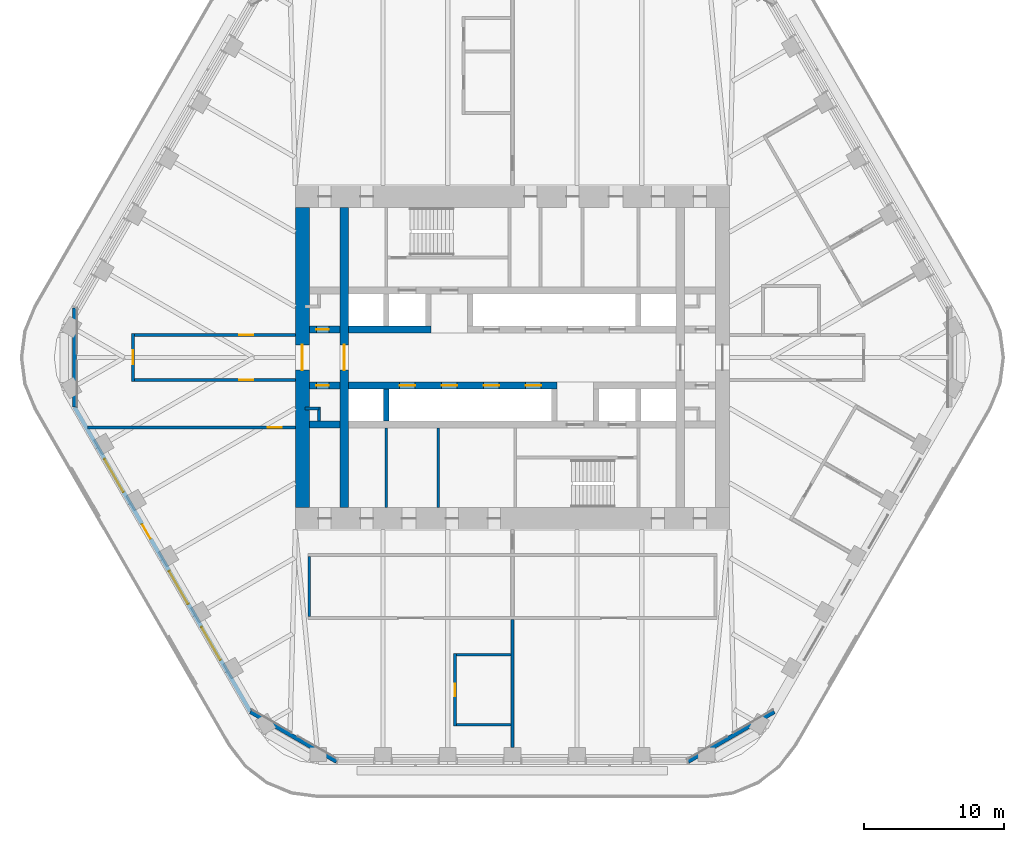
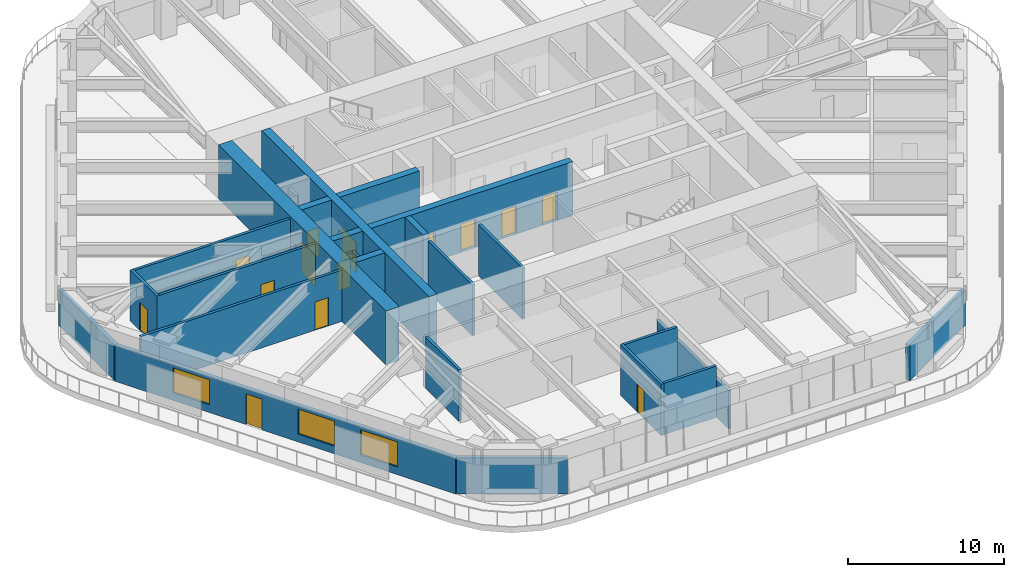
# One storey, part 14 of 20: 25 walls, 14 doors, 3 windows, 17 openings.
"""IFC4 building model written with IfcOpenShell, lengths in metres."""

from ifc_helpers import new_model, si_unit, direction, frame, frame_2d, origin, place, context, subcontext, project, spatial, rectangle, extrude, material, layer, layer_set, type_object, element, fill, save


model = new_model("IFC4")

# Units and contexts
model_context = context("Model", 3, precision=1e-05, world=origin(), true_north=direction((0.0, 1.0)))
body_context = subcontext(model_context, "Body", "Model", "MODEL_VIEW")
ifc_project = project(units=[si_unit("LENGTHUNIT", "METRE"), si_unit("AREAUNIT", "SQUARE_METRE"), si_unit("VOLUMEUNIT", "CUBIC_METRE"), si_unit("PLANEANGLEUNIT", "RADIAN"), si_unit("MASSUNIT", "GRAM", prefix="KILO")], contexts=[model_context])

# Site, building, storey
site_placement = place(None, origin())
site = spatial("IfcSite", under=ifc_project, at=site_placement, CompositionType="ELEMENT")
building_placement = place(site_placement, origin())
building = spatial("IfcBuilding", under=site, at=building_placement, Name="Tarfa Lantern Tower", CompositionType="ELEMENT")
storey_placement = place(building_placement, frame((0.0, 0.0, 261.699951171875)))
storey = spatial("IfcBuildingStorey", under=building, at=storey_placement, Name="L59", CompositionType="ELEMENT", Elevation=261.699951171875)

# Walls
ifc_material_1 = material(Name="Limestone cladding on blockwork", Category="masonry")
ifc_layer_1 = layer(ifc_material_1, 0.300048828125)
ifc_layer_set_1 = layer_set([ifc_layer_1], Name="EW1 STONE-CLAD WALL 300")
wall_type_1 = type_object("IfcWallType", Name="EW1 STONE-CLAD WALL 300", PredefinedType="SOLIDWALL", material=ifc_layer_set_1)
wall_1_placement = place(storey_placement, frame((-31.262939453125, 3.55078125, 0.0), z_axis=(0.0, 0.0, 1.0), x_axis=(0.0, -1.0, 0.0)))
element("IfcWall", 1, at=wall_1_placement, inside=storey, type_object=wall_type_1, Name="Garden wall NW-SW", PredefinedType="SOLIDWALL", context=body_context, shape_type="SweptSolid", body=[
    extrude(rectangle(XDim=7.1015625, YDim=0.300048828125, at=frame_2d((3.55078125, 0.0))), origin(), (0.0, 0.0, 1.0), 2.800048828125),
])
for number, where, z_axis, x_axis, name in (
    (2, (-18.70654296875, -25.299072265625, 0.0), (0.0, 0.0, 1.0), (0.866010973379, -0.500024993363, 0.0), "Garden wall SW-S"),
    (3, (12.556396484375, -28.85009765625, 0.0), (0.0, 0.0, 1.0), (0.866010973379, 0.500024993363, 0.0), "Garden wall S-SE"),
):
    element("IfcWall", number, at=place(storey_placement, frame(where, z_axis=z_axis, x_axis=x_axis)), inside=storey, type_object=wall_type_1, Name=name, PredefinedType="SOLIDWALL", context=body_context, shape_type="SweptSolid", body=[
        extrude(rectangle(XDim=7.101806640625, YDim=0.300048828125, at=frame_2d((3.55078125, 0.0))), origin(), (0.0, 0.0, 1.0), 2.800048828125),
    ])

# Wall, openings, door, windows
wall_2_placement = place(storey_placement, frame((-31.262939453125, -3.55078125, 0.0), z_axis=(0.0, 0.0, 1.0), x_axis=(0.500000442367, -0.866025148383, 0.0)))
wall_2 = element("IfcWall", 4, at=wall_2_placement, inside=storey, type_object=wall_type_1, Name="Stone wall SW", PredefinedType="SOLIDWALL", context=body_context, shape_type="SweptSolid", body=[
    extrude(rectangle(XDim=25.11279296875, YDim=0.300048828125, at=frame_2d((12.556396484375, 0.0))), origin(), (0.0, 0.0, 1.0), 2.800048828125),
])
opening_1_placement = place(wall_2_placement, frame((4.2783203125, 0.0, 0.60009765625)))
opening_1 = element("IfcOpeningElement", 5, at=opening_1_placement, cuts=wall_2, Name="Opening W14", PredefinedType="OPENING", context=body_context, shape_type="SweptSolid", body=[
    extrude(rectangle(XDim=2.699951171875, YDim=1.949951171875, at=frame_2d((1.35009765625, 0.97509765625))), frame((0.0, 0.159912109375, 0.0), z_axis=(0.0, -1.0, 0.0), x_axis=(1.0, 0.0, 0.0)), (0.0, 0.0, 1.0), 0.320068359375),
])
opening_2_placement = place(wall_2_placement, frame((9.64697265625, 0.0, 0.0)))
opening_2 = element("IfcOpeningElement", 6, at=opening_2_placement, cuts=wall_2, Name="Opening D48", PredefinedType="OPENING", context=body_context, shape_type="SweptSolid", body=[
    extrude(rectangle(XDim=1.199951171875, YDim=2.39990234375, at=frame_2d((0.60009765625, 1.199951171875))), frame((0.0, 0.159912109375, 0.0), z_axis=(0.0, -1.0, 0.0), x_axis=(1.0, 0.0, 0.0)), (0.0, 0.0, 1.0), 0.320068359375),
])
opening_3_placement = place(wall_2_placement, frame((13.515869140625, 0.0, 0.60009765625)))
opening_3 = element("IfcOpeningElement", 7, at=opening_3_placement, cuts=wall_2, Name="Opening W14", PredefinedType="OPENING", context=body_context, shape_type="SweptSolid", body=[
    extrude(rectangle(XDim=2.699951171875, YDim=1.949951171875, at=frame_2d((1.35009765625, 0.97509765625))), frame((0.0, 0.159912109375, 0.0), z_axis=(0.0, -1.0, 0.0), x_axis=(1.0, 0.0, 0.0)), (0.0, 0.0, 1.0), 0.320068359375),
])
opening_4_placement = place(wall_2_placement, frame((18.134521484375, 0.0, 0.60009765625)))
opening_4 = element("IfcOpeningElement", 8, at=opening_4_placement, cuts=wall_2, Name="Opening W14", PredefinedType="OPENING", context=body_context, shape_type="SweptSolid", body=[
    extrude(rectangle(XDim=2.699951171875, YDim=1.949951171875, at=frame_2d((1.35009765625, 0.97509765625))), frame((0.0, 0.159912109375, 0.0), z_axis=(0.0, -1.0, 0.0), x_axis=(1.0, 0.0, 0.0)), (0.0, 0.0, 1.0), 0.320068359375),
])
ifc_material_2 = material(Name="Aluminium framed glazed door", Category="aluminium")
door_type_1 = type_object("IfcDoorType", Name="BE3 BALCONY DOOR 1200x2400", OperationType="SINGLE_SWING_RIGHT", PredefinedType="DOOR", material=ifc_material_2)
door_1_placement = place(opening_2_placement, origin())
door_1 = element("IfcDoor", 9, at=door_1_placement, inside=storey, type_object=door_type_1, Name="Balcony door SW", OperationType="SINGLE_SWING_RIGHT", OverallHeight=2.39990234375, OverallWidth=1.199951171875, PredefinedType="DOOR", context=body_context, shape_type="SweptSolid", body=[
    extrude(rectangle(XDim=1.199951171875, YDim=2.39990234375, at=frame_2d((0.60009765625, 1.199951171875))), frame((0.0, 0.02490234375, 0.0), z_axis=(0.0, -1.0, 0.0), x_axis=(1.0, 0.0, 0.0)), (0.0, 0.0, 1.0), 0.050048828125),
])
fill(opening_2, door_1)
ifc_material_3 = material(Name="Aluminium frame, double glazed", Category="aluminium")
window_type = type_object("IfcWindowType", Name="W14 FULL-HEIGHT GLAZING 2700x1950", PartitioningType="SINGLE_PANEL", PredefinedType="WINDOW", material=ifc_material_3)
window_1_placement = place(opening_1_placement, origin())
window_1 = element("IfcWindow", 10, at=window_1_placement, inside=storey, type_object=window_type, Name="Window SW 2", OverallHeight=1.949951171875, OverallWidth=2.699951171875, PartitioningType="SINGLE_PANEL", PredefinedType="WINDOW", context=body_context, shape_type="SweptSolid", body=[
    extrude(rectangle(XDim=2.699951171875, YDim=1.949951171875, at=frame_2d((1.35009765625, 0.97509765625))), frame((0.0, 0.030029296875, 0.0), z_axis=(0.0, -1.0, 0.0), x_axis=(1.0, 0.0, 0.0)), (0.0, 0.0, 1.0), 0.06005859375),
])
fill(opening_1, window_1)
window_2_placement = place(opening_3_placement, origin())
window_2 = element("IfcWindow", 11, at=window_2_placement, inside=storey, type_object=window_type, Name="Window SW 4", OverallHeight=1.949951171875, OverallWidth=2.699951171875, PartitioningType="SINGLE_PANEL", PredefinedType="WINDOW", context=body_context, shape_type="SweptSolid", body=[
    extrude(rectangle(XDim=2.699951171875, YDim=1.949951171875, at=frame_2d((1.35009765625, 0.97509765625))), frame((0.0, 0.030029296875, 0.0), z_axis=(0.0, -1.0, 0.0), x_axis=(1.0, 0.0, 0.0)), (0.0, 0.0, 1.0), 0.06005859375),
])
fill(opening_3, window_2)
window_3_placement = place(opening_4_placement, origin())
window_3 = element("IfcWindow", 12, at=window_3_placement, inside=storey, type_object=window_type, Name="Window SW 5", OverallHeight=1.949951171875, OverallWidth=2.699951171875, PartitioningType="SINGLE_PANEL", PredefinedType="WINDOW", context=body_context, shape_type="SweptSolid", body=[
    extrude(rectangle(XDim=2.699951171875, YDim=1.949951171875, at=frame_2d((1.35009765625, 0.97509765625))), frame((0.0, 0.030029296875, 0.0), z_axis=(0.0, -1.0, 0.0), x_axis=(1.0, 0.0, 0.0)), (0.0, 0.0, 1.0), 0.06005859375),
])
fill(opening_4, window_3)

# Walls
ifc_material_4 = material(Name="Concrete blockwork", Category="masonry")
ifc_layer_2 = layer(ifc_material_4, 0.199951171875)
ifc_layer_set_2 = layer_set([ifc_layer_2], Name="IW1 BLOCKWORK PARTITION 200 EI 120")
wall_type_2 = type_object("IfcWallType", Name="IW1 BLOCKWORK PARTITION 200 EI 120", PredefinedType="PARTITIONING", material=ifc_layer_set_2)
for number, where, z_axis, x_axis, name in (
    (13, (-9.0, -5.050048828125, 0.0), (0.0, 0.0, 1.0), (0.0, -1.0, 0.0), "Core partition"),
    (14, (-5.300048828125, -5.050048828125, 0.0), (0.0, 0.0, 1.0), (0.0, -1.0, 0.0), "Core partition"),
):
    element("IfcWall", number, at=place(storey_placement, frame(where, z_axis=z_axis, x_axis=x_axis)), inside=storey, type_object=wall_type_2, Name=name, PredefinedType="PARTITIONING", context=body_context, shape_type="SweptSolid", body=[
        extrude(rectangle(XDim=5.64990234375, YDim=0.199951171875, at=frame_2d((2.824951171875, 0.0))), origin(), (0.0, 0.0, 1.0), 4.0),
    ])
for number, where, z_axis, x_axis, name in (
    (15, (-13.800048828125, -3.64990234375, 0.0), (0.0, 0.0, 1.0), (-1.0, 0.0, 0.0), "Core partition"),
    (16, (-13.800048828125, -3.550048828125, 0.0), (0.0, 0.0, 1.0), (0.0, -1.0, 0.0), "Core partition"),
):
    element("IfcWall", number, at=place(storey_placement, frame(where, z_axis=z_axis, x_axis=x_axis)), inside=storey, type_object=wall_type_2, Name=name, PredefinedType="PARTITIONING", context=body_context, shape_type="SweptSolid", body=[
        extrude(rectangle(XDim=1.0, YDim=0.199951171875, at=frame_2d((0.5, 0.0))), origin(), (0.0, 0.0, 1.0), 4.0),
    ])
ifc_material_5 = material(Name="Gypsum board on steel studs", Category="steel")
ifc_layer_3 = layer(ifc_material_5, 0.2099609375)
ifc_layer_set_3 = layer_set([ifc_layer_3], Name="IW2 ACOUSTIC PARTITION 200")
wall_type_3 = type_object("IfcWallType", Name="IW2 ACOUSTIC PARTITION 200", PredefinedType="PARTITIONING", material=ifc_layer_set_3)
wall_3_placement = place(storey_placement, frame((-14.5, -14.199951171875, 0.0), z_axis=(0.0, 0.0, 1.0), x_axis=(0.0, -1.0, 0.0)))
element("IfcWall", 17, at=wall_3_placement, inside=storey, type_object=wall_type_3, Name="Partition", PredefinedType="PARTITIONING", context=body_context, shape_type="SweptSolid", body=[
    extrude(rectangle(XDim=4.300048828125, YDim=0.199951171875, at=frame_2d((2.14990234375, 0.0))), origin(), (0.0, 0.0, 1.0), 4.0),
])

# Wall, opening, door
wall_4_placement = place(storey_placement, frame((-15.5, 1.60009765625, 0.0), z_axis=(0.0, 0.0, 1.0), x_axis=(-1.0, 0.0, 0.0)))
wall_4 = element("IfcWall", 18, at=wall_4_placement, inside=storey, type_object=wall_type_3, Name="Partition", PredefinedType="PARTITIONING", context=body_context, shape_type="SweptSolid", body=[
    extrude(rectangle(XDim=11.699951171875, YDim=0.199951171875, at=frame_2d((5.85009765625, 0.0))), origin(), (0.0, 0.0, 1.0), 4.0),
])
opening_5_placement = place(wall_4_placement, frame((3.010009765625, 0.0, 0.0)))
opening_5 = element("IfcOpeningElement", 19, at=opening_5_placement, cuts=wall_4, Name="Opening D41", PredefinedType="OPENING", context=body_context, shape_type="SweptSolid", body=[
    extrude(rectangle(XDim=1.0, YDim=2.199951171875, at=frame_2d((0.5, 1.10009765625))), frame((0.0, 0.10986328125, 0.0), z_axis=(0.0, -1.0, 0.0), x_axis=(1.0, 0.0, 0.0)), (0.0, 0.0, 1.0), 0.219970703125),
])
ifc_material_6 = material(Name="Timber door", Category="wood")
door_type_2 = type_object("IfcDoorType", Name="DR1 ROOM DOOR 1000x2200", OperationType="SINGLE_SWING_LEFT", PredefinedType="DOOR", material=ifc_material_6)
door_2_placement = place(opening_5_placement, frame((1.0, 0.0, 0.0), z_axis=(0.0, 0.0, 1.0), x_axis=(-1.0, 0.0, 0.0)))
door_2 = element("IfcDoor", 20, at=door_2_placement, inside=storey, type_object=door_type_2, Name="Corridor door", OperationType="SINGLE_SWING_LEFT", OverallHeight=2.199951171875, OverallWidth=1.0, PredefinedType="DOOR", context=body_context, shape_type="SweptSolid", body=[
    extrude(rectangle(XDim=1.0, YDim=2.199951171875, at=frame_2d((0.5, 1.10009765625))), frame((0.0, 0.02490234375, 0.0), z_axis=(0.0, -1.0, 0.0), x_axis=(1.0, 0.0, 0.0)), (0.0, 0.0, 1.0), 0.050048828125),
])
fill(opening_5, door_2)

wall_5_placement = place(storey_placement, frame((-15.5, -1.60009765625, 0.0), z_axis=(0.0, 0.0, 1.0), x_axis=(-1.0, 0.0, 0.0)))
wall_5 = element("IfcWall", 21, at=wall_5_placement, inside=storey, type_object=wall_type_3, Name="Partition", PredefinedType="PARTITIONING", context=body_context, shape_type="SweptSolid", body=[
    extrude(rectangle(XDim=11.699951171875, YDim=0.199951171875, at=frame_2d((5.85009765625, 0.0))), origin(), (0.0, 0.0, 1.0), 4.0),
])
opening_6_placement = place(wall_5_placement, frame((3.010009765625, 0.0, 0.0)))
opening_6 = element("IfcOpeningElement", 22, at=opening_6_placement, cuts=wall_5, Name="Opening D42", PredefinedType="OPENING", context=body_context, shape_type="SweptSolid", body=[
    extrude(rectangle(XDim=1.0, YDim=2.199951171875, at=frame_2d((0.5, 1.10009765625))), frame((0.0, 0.10986328125, 0.0), z_axis=(0.0, -1.0, 0.0), x_axis=(1.0, 0.0, 0.0)), (0.0, 0.0, 1.0), 0.219970703125),
])
door_3_placement = place(opening_6_placement, origin())
door_3 = element("IfcDoor", 23, at=door_3_placement, inside=storey, type_object=door_type_2, Name="Corridor door", OperationType="SINGLE_SWING_RIGHT", OverallHeight=2.199951171875, OverallWidth=1.0, PredefinedType="DOOR", context=body_context, shape_type="SweptSolid", body=[
    extrude(rectangle(XDim=1.0, YDim=2.199951171875, at=frame_2d((0.5, 1.10009765625))), frame((0.0, 0.02490234375, 0.0), z_axis=(0.0, -1.0, 0.0), x_axis=(1.0, 0.0, 0.0)), (0.0, 0.0, 1.0), 0.050048828125),
])
fill(opening_6, door_3)

wall_6_placement = place(storey_placement, frame((-27.10009765625, -1.699951171875, 0.0), z_axis=(0.0, 0.0, 1.0), x_axis=(0.0, 1.0, 0.0)))
wall_6 = element("IfcWall", 24, at=wall_6_placement, inside=storey, type_object=wall_type_3, Name="Partition", PredefinedType="PARTITIONING", context=body_context, shape_type="SweptSolid", body=[
    extrude(rectangle(XDim=3.39990234375, YDim=0.199951171875, at=frame_2d((1.699951171875, 0.0))), origin(), (0.0, 0.0, 1.0), 4.0),
])
opening_7_placement = place(wall_6_placement, frame((1.199951171875, 0.0, 0.0)))
opening_7 = element("IfcOpeningElement", 25, at=opening_7_placement, cuts=wall_6, Name="Opening D40", PredefinedType="OPENING", context=body_context, shape_type="SweptSolid", body=[
    extrude(rectangle(XDim=1.0, YDim=2.199951171875, at=frame_2d((0.5, 1.10009765625))), frame((0.0, 0.10986328125, 0.0), z_axis=(0.0, -1.0, 0.0), x_axis=(1.0, 0.0, 0.0)), (0.0, 0.0, 1.0), 0.219970703125),
])
door_4_placement = place(opening_7_placement, origin())
door_4 = element("IfcDoor", 26, at=door_4_placement, inside=storey, type_object=door_type_2, Name="Corridor door", OperationType="SINGLE_SWING_RIGHT", OverallHeight=2.199951171875, OverallWidth=1.0, PredefinedType="DOOR", context=body_context, shape_type="SweptSolid", body=[
    extrude(rectangle(XDim=1.0, YDim=2.199951171875, at=frame_2d((0.5, 1.10009765625))), frame((0.0, 0.02490234375, 0.0), z_axis=(0.0, -1.0, 0.0), x_axis=(1.0, 0.0, 0.0)), (0.0, 0.0, 1.0), 0.050048828125),
])
fill(opening_7, door_4)

# Wall
wall_7_placement = place(storey_placement, frame((0.0, -18.699951171875, 0.0), z_axis=(0.0, 0.0, 1.0), x_axis=(0.0, -1.0, 0.0)))
element("IfcWall", 27, at=wall_7_placement, inside=storey, type_object=wall_type_3, Name="Partition", PredefinedType="PARTITIONING", context=body_context, shape_type="SweptSolid", body=[
    extrude(rectangle(XDim=9.150146484375, YDim=0.199951171875, at=frame_2d((4.5751953125, 0.0))), origin(), (0.0, 0.0, 1.0), 2.991943359375),
])

# Wall, opening, door
wall_8_placement = place(storey_placement, frame((-15.5, -5.0, 0.0), z_axis=(0.0, 0.0, 1.0), x_axis=(-1.0, 0.0, 0.0)))
wall_8 = element("IfcWall", 28, at=wall_8_placement, inside=storey, type_object=wall_type_3, Name="Partition", PredefinedType="PARTITIONING", context=body_context, shape_type="SweptSolid", body=[
    extrude(rectangle(XDim=14.845458984375, YDim=0.199951171875, at=frame_2d((7.4228515625, 0.0))), origin(), (0.0, 0.0, 1.0), 4.0),
])
opening_8_placement = place(wall_8_placement, frame((0.984619140625, 0.0, 0.0)))
opening_8 = element("IfcOpeningElement", 29, at=opening_8_placement, cuts=wall_8, Name="Opening D45", PredefinedType="OPENING", context=body_context, shape_type="SweptSolid", body=[
    extrude(rectangle(XDim=1.0, YDim=2.199951171875, at=frame_2d((0.5, 1.10009765625))), frame((0.0, 0.10986328125, 0.0), z_axis=(0.0, -1.0, 0.0), x_axis=(1.0, 0.0, 0.0)), (0.0, 0.0, 1.0), 0.219970703125),
])
door_5_placement = place(opening_8_placement, origin())
door_5 = element("IfcDoor", 30, at=door_5_placement, inside=storey, type_object=door_type_2, Name="Zone door", OperationType="SINGLE_SWING_RIGHT", OverallHeight=2.199951171875, OverallWidth=1.0, PredefinedType="DOOR", context=body_context, shape_type="SweptSolid", body=[
    extrude(rectangle(XDim=1.0, YDim=2.199951171875, at=frame_2d((0.5, 1.10009765625))), frame((0.0, 0.02490234375, 0.0), z_axis=(0.0, -1.0, 0.0), x_axis=(1.0, 0.0, 0.0)), (0.0, 0.0, 1.0), 0.050048828125),
])
fill(opening_8, door_5)

wall_9_placement = place(storey_placement, frame((-4.10009765625, -21.132568359375, 0.0), z_axis=(0.0, 0.0, 1.0), x_axis=(0.0, -1.0, 0.0)))
wall_9 = element("IfcWall", 31, at=wall_9_placement, inside=storey, type_object=wall_type_3, Name="Partition", PredefinedType="PARTITIONING", context=body_context, shape_type="SweptSolid", body=[
    extrude(rectangle(XDim=5.199951171875, YDim=0.199951171875, at=frame_2d((2.60009765625, 0.0))), origin(), (0.0, 0.0, 1.0), 4.0),
])
opening_9_placement = place(wall_9_placement, frame((2.14990234375, 0.0, 0.0)))
opening_9 = element("IfcOpeningElement", 32, at=opening_9_placement, cuts=wall_9, Name="Opening D36", PredefinedType="OPENING", context=body_context, shape_type="SweptSolid", body=[
    extrude(rectangle(XDim=0.89990234375, YDim=2.199951171875, at=frame_2d((0.449951171875, 1.10009765625))), frame((0.0, 0.10986328125, 0.0), z_axis=(0.0, -1.0, 0.0), x_axis=(1.0, 0.0, 0.0)), (0.0, 0.0, 1.0), 0.219970703125),
])
door_type_3 = type_object("IfcDoorType", Name="DR3 ROOM DOOR 900x2200", OperationType="SINGLE_SWING_LEFT", PredefinedType="DOOR", material=ifc_material_6)
door_6_placement = place(opening_9_placement, origin())
door_6 = element("IfcDoor", 33, at=door_6_placement, inside=storey, type_object=door_type_3, Name="Team room door", OperationType="SINGLE_SWING_LEFT", OverallHeight=2.199951171875, OverallWidth=0.89990234375, PredefinedType="DOOR", context=body_context, shape_type="SweptSolid", body=[
    extrude(rectangle(XDim=0.89990234375, YDim=2.199951171875, at=frame_2d((0.449951171875, 1.10009765625))), frame((0.0, 0.02490234375, 0.0), z_axis=(0.0, -1.0, 0.0), x_axis=(1.0, 0.0, 0.0)), (0.0, 0.0, 1.0), 0.050048828125),
])
fill(opening_9, door_6)

# Walls
for number, where, z_axis, x_axis, name in (
    (34, (-0.10009765625, -21.232421875, 0.0), (0.0, 0.0, 1.0), (-1.0, 0.0, 0.0), "Partition"),
    (35, (-0.10009765625, -26.232421875, 0.0), (0.0, 0.0, 1.0), (-1.0, 0.0, 0.0), "Partition"),
):
    element("IfcWall", number, at=place(storey_placement, frame(where, z_axis=z_axis, x_axis=x_axis)), inside=storey, type_object=wall_type_3, Name=name, PredefinedType="PARTITIONING", context=body_context, shape_type="SweptSolid", body=[
        extrude(rectangle(XDim=3.89990234375, YDim=0.199951171875, at=frame_2d((1.949951171875, 0.0))), origin(), (0.0, 0.0, 1.0), 4.0),
    ])

# Wall, opening, door
ifc_material_7 = material(Name="Concrete C80/95", Category="concrete")
ifc_layer_4 = layer(ifc_material_7, 1.0)
ifc_layer_set_4 = layer_set([ifc_layer_4], Name="SW2 CORE WALL 1000")
wall_type_4 = type_object("IfcWallType", Name="SW2 CORE WALL 1000", PredefinedType="SHEAR", material=ifc_layer_set_4)
wall_10_placement = place(storey_placement, frame((-15.0, 10.699951171875, 0.0), z_axis=(0.0, 0.0, 1.0), x_axis=(0.0, -1.0, 0.0)))
wall_10 = element("IfcWall", 36, at=wall_10_placement, inside=storey, type_object=wall_type_4, Name="Core wall W", PredefinedType="SHEAR", context=body_context, shape_type="SweptSolid", body=[
    extrude(rectangle(XDim=21.39990234375, YDim=1.0, at=frame_2d((10.699951171875, 0.0))), origin(), (0.0, 0.0, 1.0), 4.199951171875),
])
opening_10_placement = place(wall_10_placement, frame((9.800048828125, 0.0, 0.0)))
opening_10 = element("IfcOpeningElement", 37, at=opening_10_placement, cuts=wall_10, Name="Opening D12", PredefinedType="OPENING", context=body_context, shape_type="SweptSolid", body=[
    extrude(rectangle(XDim=1.800048828125, YDim=2.39990234375, at=frame_2d((0.89990234375, 1.199951171875))), frame((0.0, 0.510009765625, 0.0), z_axis=(0.0, -1.0, 0.0), x_axis=(1.0, 0.0, 0.0)), (0.0, 0.0, 1.0), 1.02001953125),
])
ifc_material_8 = material(Name="Steel fire door", Category="steel")
door_type_4 = type_object("IfcDoorType", Name="DL1 LOBBY DOOR 1800x2400", OperationType="DOUBLE_DOOR_SINGLE_SWING", PredefinedType="DOOR", material=ifc_material_8)
door_7_placement = place(opening_10_placement, frame((1.800048828125, 0.0, 0.0), z_axis=(0.0, 0.0, 1.0), x_axis=(-1.0, 0.0, 0.0)))
door_7 = element("IfcDoor", 38, at=door_7_placement, inside=storey, type_object=door_type_4, Name="Lift lobby door", OperationType="DOUBLE_DOOR_SINGLE_SWING", OverallHeight=2.39990234375, OverallWidth=1.800048828125, PredefinedType="DOOR", context=body_context, shape_type="SweptSolid", body=[
    extrude(rectangle(XDim=1.800048828125, YDim=2.39990234375, at=frame_2d((0.89990234375, 1.199951171875))), frame((0.0, 0.02490234375, 0.0), z_axis=(0.0, -1.0, 0.0), x_axis=(1.0, 0.0, 0.0)), (0.0, 0.0, 1.0), 0.050048828125),
])
fill(opening_10, door_7)

ifc_layer_5 = layer(ifc_material_7, 0.5)
ifc_layer_set_5 = layer_set([ifc_layer_5], Name="SW5 CORE WALL 500")
wall_type_5 = type_object("IfcWallType", Name="SW5 CORE WALL 500", PredefinedType="SHEAR", material=ifc_layer_set_5)
wall_11_placement = place(storey_placement, frame((-14.5, 2.0, 0.0), z_axis=(0.0, 0.0, 1.0), x_axis=(1.0, 0.0, 0.0)))
wall_11 = element("IfcWall", 39, at=wall_11_placement, inside=storey, type_object=wall_type_5, Name="Core wall lobby west N", PredefinedType="SHEAR", context=body_context, shape_type="SweptSolid", body=[
    extrude(rectangle(XDim=2.199951171875, YDim=0.5, at=frame_2d((1.10009765625, 0.0))), origin(), (0.0, 0.0, 1.0), 4.199951171875),
])
opening_11_placement = place(wall_11_placement, frame((0.5, 0.0, 0.0)))
opening_11 = element("IfcOpeningElement", 40, at=opening_11_placement, cuts=wall_11, Name="Opening D15", PredefinedType="OPENING", context=body_context, shape_type="SweptSolid", body=[
    extrude(rectangle(XDim=0.89990234375, YDim=2.199951171875, at=frame_2d((0.449951171875, 1.10009765625))), frame((0.0, 0.260009765625, 0.0), z_axis=(0.0, -1.0, 0.0), x_axis=(1.0, 0.0, 0.0)), (0.0, 0.0, 1.0), 0.52001953125),
])
door_type_5 = type_object("IfcDoorType", Name="DF6 SERVICE ROOM DOOR 900x2200", OperationType="SINGLE_SWING_LEFT", PredefinedType="DOOR", material=ifc_material_8)
door_8_placement = place(opening_11_placement, origin())
door_8 = element("IfcDoor", 41, at=door_8_placement, inside=storey, type_object=door_type_5, Name="Service room door", OperationType="SINGLE_SWING_RIGHT", OverallHeight=2.199951171875, OverallWidth=0.89990234375, PredefinedType="DOOR", context=body_context, shape_type="SweptSolid", body=[
    extrude(rectangle(XDim=0.89990234375, YDim=2.199951171875, at=frame_2d((0.449951171875, 1.10009765625))), frame((0.0, 0.02490234375, 0.0), z_axis=(0.0, -1.0, 0.0), x_axis=(1.0, 0.0, 0.0)), (0.0, 0.0, 1.0), 0.050048828125),
])
fill(opening_11, door_8)

# Wall
wall_12_placement = place(storey_placement, frame((-11.699951171875, 2.0, 0.0), z_axis=(0.0, 0.0, 1.0), x_axis=(1.0, 0.0, 0.0)))
element("IfcWall", 42, at=wall_12_placement, inside=storey, type_object=wall_type_5, Name="Core wall lobby west N", PredefinedType="SHEAR", context=body_context, shape_type="SweptSolid", body=[
    extrude(rectangle(XDim=5.89990234375, YDim=0.5, at=frame_2d((2.949951171875, 0.0))), origin(), (0.0, 0.0, 1.0), 4.199951171875),
])

# Wall, openings, doors
wall_13_placement = place(storey_placement, frame((3.199951171875, -2.0, 0.0), z_axis=(0.0, 0.0, 1.0), x_axis=(-1.0, 0.0, 0.0)))
wall_13 = element("IfcWall", 43, at=wall_13_placement, inside=storey, type_object=wall_type_5, Name="Core wall lobby east S", PredefinedType="SHEAR", context=body_context, shape_type="SweptSolid", body=[
    extrude(rectangle(XDim=14.89990234375, YDim=0.5, at=frame_2d((7.449951171875, 0.0))), origin(), (0.0, 0.0, 1.0), 4.199951171875),
])
opening_12_placement = place(wall_13_placement, frame((1.14990234375, 0.0, 0.0)))
opening_12 = element("IfcOpeningElement", 44, at=opening_12_placement, cuts=wall_13, Name="Opening LD07", PredefinedType="OPENING", context=body_context, shape_type="SweptSolid", body=[
    extrude(rectangle(XDim=1.10009765625, YDim=2.199951171875, at=frame_2d((0.550048828125, 1.10009765625))), frame((0.0, 0.260009765625, 0.0), z_axis=(0.0, -1.0, 0.0), x_axis=(1.0, 0.0, 0.0)), (0.0, 0.0, 1.0), 0.52001953125),
])
opening_13_placement = place(wall_13_placement, frame((4.14990234375, 0.0, 0.0)))
opening_13 = element("IfcOpeningElement", 45, at=opening_13_placement, cuts=wall_13, Name="Opening LD08", PredefinedType="OPENING", context=body_context, shape_type="SweptSolid", body=[
    extrude(rectangle(XDim=1.10009765625, YDim=2.199951171875, at=frame_2d((0.550048828125, 1.10009765625))), frame((0.0, 0.260009765625, 0.0), z_axis=(0.0, -1.0, 0.0), x_axis=(1.0, 0.0, 0.0)), (0.0, 0.0, 1.0), 0.52001953125),
])
opening_14_placement = place(wall_13_placement, frame((7.14990234375, 0.0, 0.0)))
opening_14 = element("IfcOpeningElement", 46, at=opening_14_placement, cuts=wall_13, Name="Opening LD09", PredefinedType="OPENING", context=body_context, shape_type="SweptSolid", body=[
    extrude(rectangle(XDim=1.10009765625, YDim=2.199951171875, at=frame_2d((0.550048828125, 1.10009765625))), frame((0.0, 0.260009765625, 0.0), z_axis=(0.0, -1.0, 0.0), x_axis=(1.0, 0.0, 0.0)), (0.0, 0.0, 1.0), 0.52001953125),
])
opening_15_placement = place(wall_13_placement, frame((10.14990234375, 0.0, 0.0)))
opening_15 = element("IfcOpeningElement", 47, at=opening_15_placement, cuts=wall_13, Name="Opening LD10", PredefinedType="OPENING", context=body_context, shape_type="SweptSolid", body=[
    extrude(rectangle(XDim=1.10009765625, YDim=2.199951171875, at=frame_2d((0.550048828125, 1.10009765625))), frame((0.0, 0.260009765625, 0.0), z_axis=(0.0, -1.0, 0.0), x_axis=(1.0, 0.0, 0.0)), (0.0, 0.0, 1.0), 0.52001953125),
])
ifc_material_9 = material(Name="Stainless steel lift door", Category="steel")
door_type_6 = type_object("IfcDoorType", Name="LD2 LIFT LANDING DOOR 1100x2200", OperationType="SLIDING_TO_LEFT", PredefinedType="DOOR", material=ifc_material_9)
door_9_placement = place(opening_12_placement, frame((1.10009765625, 0.0, 0.0), z_axis=(0.0, 0.0, 1.0), x_axis=(-1.0, 0.0, 0.0)))
door_9 = element("IfcDoor", 48, at=door_9_placement, inside=storey, type_object=door_type_6, Name="Landing door PC5", OperationType="SLIDING_TO_LEFT", OverallHeight=2.199951171875, OverallWidth=1.10009765625, PredefinedType="DOOR", context=body_context, shape_type="SweptSolid", body=[
    extrude(rectangle(XDim=1.10009765625, YDim=2.199951171875, at=frame_2d((0.550048828125, 1.10009765625))), frame((0.0, 0.02490234375, 0.0), z_axis=(0.0, -1.0, 0.0), x_axis=(1.0, 0.0, 0.0)), (0.0, 0.0, 1.0), 0.050048828125),
])
fill(opening_12, door_9)
door_10_placement = place(opening_13_placement, frame((1.10009765625, 0.0, 0.0), z_axis=(0.0, 0.0, 1.0), x_axis=(-1.0, 0.0, 0.0)))
door_10 = element("IfcDoor", 49, at=door_10_placement, inside=storey, type_object=door_type_6, Name="Landing door PC6", OperationType="SLIDING_TO_LEFT", OverallHeight=2.199951171875, OverallWidth=1.10009765625, PredefinedType="DOOR", context=body_context, shape_type="SweptSolid", body=[
    extrude(rectangle(XDim=1.10009765625, YDim=2.199951171875, at=frame_2d((0.550048828125, 1.10009765625))), frame((0.0, 0.02490234375, 0.0), z_axis=(0.0, -1.0, 0.0), x_axis=(1.0, 0.0, 0.0)), (0.0, 0.0, 1.0), 0.050048828125),
])
fill(opening_13, door_10)
door_11_placement = place(opening_14_placement, frame((1.10009765625, 0.0, 0.0), z_axis=(0.0, 0.0, 1.0), x_axis=(-1.0, 0.0, 0.0)))
door_11 = element("IfcDoor", 50, at=door_11_placement, inside=storey, type_object=door_type_6, Name="Landing door PC7", OperationType="SLIDING_TO_LEFT", OverallHeight=2.199951171875, OverallWidth=1.10009765625, PredefinedType="DOOR", context=body_context, shape_type="SweptSolid", body=[
    extrude(rectangle(XDim=1.10009765625, YDim=2.199951171875, at=frame_2d((0.550048828125, 1.10009765625))), frame((0.0, 0.02490234375, 0.0), z_axis=(0.0, -1.0, 0.0), x_axis=(1.0, 0.0, 0.0)), (0.0, 0.0, 1.0), 0.050048828125),
])
fill(opening_14, door_11)
door_12_placement = place(opening_15_placement, frame((1.10009765625, 0.0, 0.0), z_axis=(0.0, 0.0, 1.0), x_axis=(-1.0, 0.0, 0.0)))
door_12 = element("IfcDoor", 51, at=door_12_placement, inside=storey, type_object=door_type_6, Name="Landing door PC8", OperationType="SLIDING_TO_LEFT", OverallHeight=2.199951171875, OverallWidth=1.10009765625, PredefinedType="DOOR", context=body_context, shape_type="SweptSolid", body=[
    extrude(rectangle(XDim=1.10009765625, YDim=2.199951171875, at=frame_2d((0.550048828125, 1.10009765625))), frame((0.0, 0.02490234375, 0.0), z_axis=(0.0, -1.0, 0.0), x_axis=(1.0, 0.0, 0.0)), (0.0, 0.0, 1.0), 0.050048828125),
])
fill(opening_15, door_12)

# Wall, opening, door
wall_14_placement = place(storey_placement, frame((-12.300048828125, -2.0, 0.0), z_axis=(0.0, 0.0, 1.0), x_axis=(-1.0, 0.0, 0.0)))
wall_14 = element("IfcWall", 52, at=wall_14_placement, inside=storey, type_object=wall_type_5, Name="Core wall lobby east S", PredefinedType="SHEAR", context=body_context, shape_type="SweptSolid", body=[
    extrude(rectangle(XDim=2.199951171875, YDim=0.5, at=frame_2d((1.10009765625, 0.0))), origin(), (0.0, 0.0, 1.0), 4.199951171875),
])
opening_16_placement = place(wall_14_placement, frame((0.800048828125, 0.0, 0.0)))
opening_16 = element("IfcOpeningElement", 53, at=opening_16_placement, cuts=wall_14, Name="Opening D14", PredefinedType="OPENING", context=body_context, shape_type="SweptSolid", body=[
    extrude(rectangle(XDim=0.89990234375, YDim=2.199951171875, at=frame_2d((0.449951171875, 1.10009765625))), frame((0.0, 0.260009765625, 0.0), z_axis=(0.0, -1.0, 0.0), x_axis=(1.0, 0.0, 0.0)), (0.0, 0.0, 1.0), 0.52001953125),
])
door_13_placement = place(opening_16_placement, origin())
door_13 = element("IfcDoor", 54, at=door_13_placement, inside=storey, type_object=door_type_5, Name="Service room door", OperationType="SINGLE_SWING_LEFT", OverallHeight=2.199951171875, OverallWidth=0.89990234375, PredefinedType="DOOR", context=body_context, shape_type="SweptSolid", body=[
    extrude(rectangle(XDim=0.89990234375, YDim=2.199951171875, at=frame_2d((0.449951171875, 1.10009765625))), frame((0.0, 0.02490234375, 0.0), z_axis=(0.0, -1.0, 0.0), x_axis=(1.0, 0.0, 0.0)), (0.0, 0.0, 1.0), 0.050048828125),
])
fill(opening_16, door_13)

# Walls
wall_15_placement = place(storey_placement, frame((-12.300048828125, -4.800048828125, 0.0), z_axis=(0.0, 0.0, 1.0), x_axis=(-1.0, 0.0, 0.0)))
element("IfcWall", 55, at=wall_15_placement, inside=storey, type_object=wall_type_5, Name="Core wall rear S", PredefinedType="SHEAR", context=body_context, shape_type="SweptSolid", body=[
    extrude(rectangle(XDim=2.199951171875, YDim=0.5, at=frame_2d((1.10009765625, 0.0))), origin(), (0.0, 0.0, 1.0), 4.199951171875),
])
ifc_layer_6 = layer(ifc_material_7, 0.39990234375)
ifc_layer_set_6 = layer_set([ifc_layer_6], Name="SW6 CORE WALL 400")
wall_type_6 = type_object("IfcWallType", Name="SW6 CORE WALL 400", PredefinedType="SHEAR", material=ifc_layer_set_6)
wall_16_placement = place(storey_placement, frame((-9.0, -2.25, 0.0), z_axis=(0.0, 0.0, 1.0), x_axis=(0.0, -1.0, 0.0)))
element("IfcWall", 56, at=wall_16_placement, inside=storey, type_object=wall_type_6, Name="Core wall divider S", PredefinedType="SHEAR", context=body_context, shape_type="SweptSolid", body=[
    extrude(rectangle(XDim=2.300048828125, YDim=0.39990234375, at=frame_2d((1.14990234375, 0.0))), origin(), (0.0, 0.0, 1.0), 4.199951171875),
])

# Wall, opening, door
ifc_layer_7 = layer(ifc_material_7, 0.60009765625)
ifc_layer_set_7 = layer_set([ifc_layer_7], Name="SW9 CORE WALL 600")
wall_type_7 = type_object("IfcWallType", Name="SW9 CORE WALL 600", PredefinedType="SHEAR", material=ifc_layer_set_7)
wall_17_placement = place(storey_placement, frame((-12.0, -10.699951171875, 0.0), z_axis=(0.0, 0.0, 1.0), x_axis=(0.0, 1.0, 0.0)))
wall_17 = element("IfcWall", 57, at=wall_17_placement, inside=storey, type_object=wall_type_7, Name="Core wall cross 12 m west", PredefinedType="SHEAR", context=body_context, shape_type="SweptSolid", body=[
    extrude(rectangle(XDim=21.39990234375, YDim=0.60009765625, at=frame_2d((10.699951171875, 0.0))), origin(), (0.0, 0.0, 1.0), 4.199951171875),
])
opening_17_placement = place(wall_17_placement, frame((9.800048828125, 0.0, 0.0)))
opening_17 = element("IfcOpeningElement", 58, at=opening_17_placement, cuts=wall_17, Name="Opening D26", PredefinedType="OPENING", context=body_context, shape_type="SweptSolid", body=[
    extrude(rectangle(XDim=1.800048828125, YDim=2.39990234375, at=frame_2d((0.89990234375, 1.199951171875))), frame((0.0, 0.31005859375, 0.0), z_axis=(0.0, -1.0, 0.0), x_axis=(1.0, 0.0, 0.0)), (0.0, 0.0, 1.0), 0.6201171875),
])
door_14_placement = place(opening_17_placement, origin())
door_14 = element("IfcDoor", 59, at=door_14_placement, inside=storey, type_object=door_type_4, Name="Lift lobby door", OperationType="DOUBLE_DOOR_SINGLE_SWING", OverallHeight=2.39990234375, OverallWidth=1.800048828125, PredefinedType="DOOR", context=body_context, shape_type="SweptSolid", body=[
    extrude(rectangle(XDim=1.800048828125, YDim=2.39990234375, at=frame_2d((0.89990234375, 1.199951171875))), frame((0.0, 0.02490234375, 0.0), z_axis=(0.0, -1.0, 0.0), x_axis=(1.0, 0.0, 0.0)), (0.0, 0.0, 1.0), 0.050048828125),
])
fill(opening_17, door_14)

save(model, "model.ifc")
